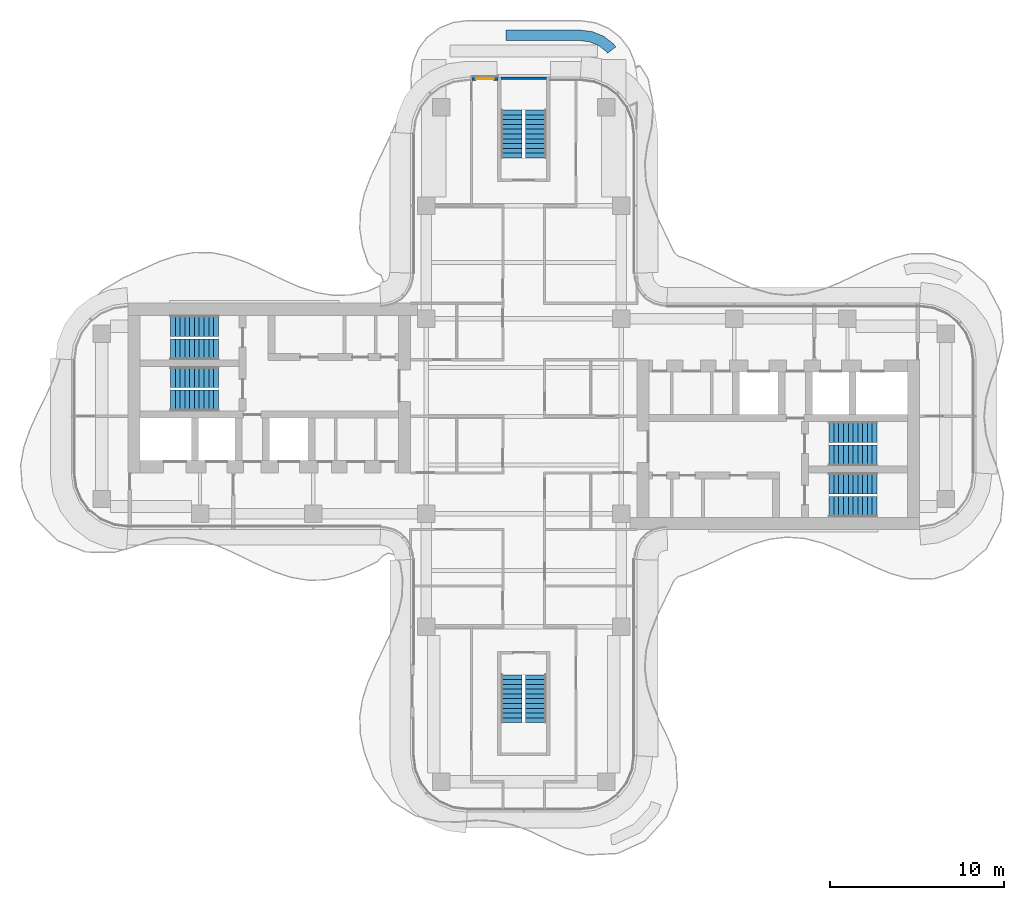
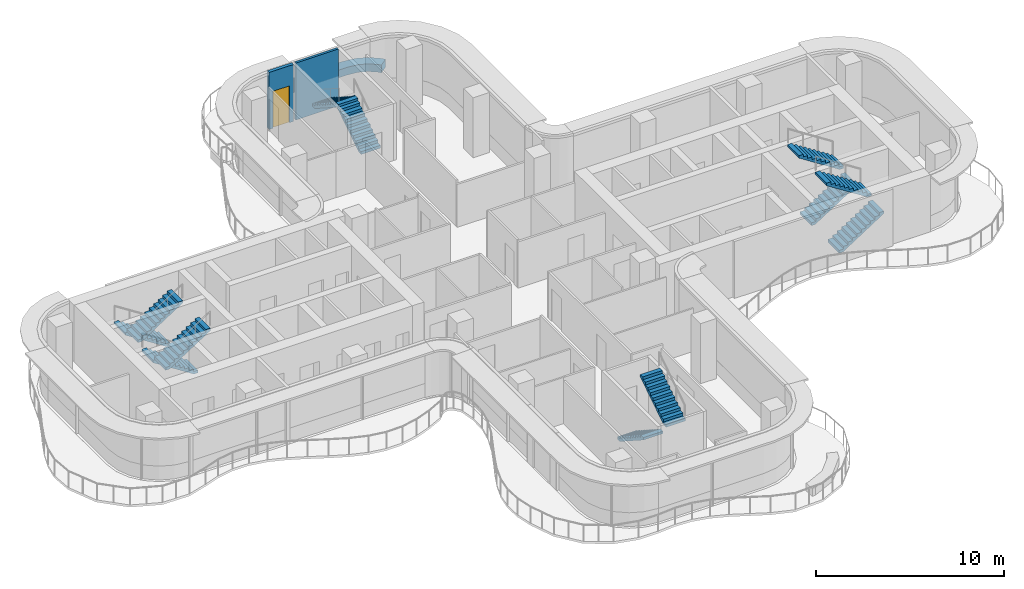
# One storey, part 14 of 16: 12 stair flights, 3 walls, 1 door, 1 opening, 6 elements without a shape of their own.
"""IFC4 building model written with IfcOpenShell, lengths in metres."""

from ifc_helpers import new_model, si_unit, direction, frame, frame_2d, origin, place, context, subcontext, project, spatial, polyline, rectangle, outline, extrude, source, transform, mapped, material, layer, layer_set, type_object, element, fill, aggregate, save


model = new_model("IFC4")

# Units and contexts
model_context = context("Model", 3, precision=1e-05, world=origin(), true_north=direction((0.0, 1.0)))
body_context = subcontext(model_context, "Body", "Model", "MODEL_VIEW")
ifc_project = project(units=[si_unit("LENGTHUNIT", "METRE"), si_unit("AREAUNIT", "SQUARE_METRE"), si_unit("VOLUMEUNIT", "CUBIC_METRE"), si_unit("PLANEANGLEUNIT", "RADIAN"), si_unit("MASSUNIT", "GRAM", prefix="KILO")], contexts=[model_context])

# Site, building, storey
site_placement = place(None, origin())
site = spatial("IfcSite", under=ifc_project, at=site_placement, CompositionType="ELEMENT")
building_placement = place(site_placement, origin())
building = spatial("IfcBuilding", under=site, at=building_placement, Name="Trellis Farm Tower", CompositionType="ELEMENT")
storey_placement = place(building_placement, frame((0.0, 0.0, 302.800048828125)))
storey = spatial("IfcBuildingStorey", under=building, at=storey_placement, Name="L68", CompositionType="ELEMENT", Elevation=302.800048828125)

# Walls
ifc_material_1 = material(Name="Sandstone faced masonry planter", Category="masonry")
ifc_layer_1 = layer(ifc_material_1, 0.60009765625)
ifc_layer_set_1 = layer_set([ifc_layer_1], Name="PLANTER BED 600")
wall_type_1 = type_object("IfcWallType", Name="PLANTER BED 600", PredefinedType="USERDEFINED", material=ifc_layer_set_1)
placement = place(storey_placement, origin())
element("IfcWall", 1, at=placement, inside=storey, type_object=wall_type_1, Name="PLANTER bed", ObjectType="PLANTER", PredefinedType="USERDEFINED", context=body_context, shape_type="SweptSolid", body=[
    extrude(outline(polyline([(3.214111328125, 22.199951171875), (3.947509765625, 22.103515625), (4.59765625, 21.834228515625), (5.15576171875, 21.40576171875), (5.29052734375, 21.230224609375), (4.814697265625, 20.864990234375), (4.727783203125, 20.977783203125), (4.294921875, 21.31005859375), (3.791015625, 21.518798828125), (3.174560546875, 21.60009765625), (-1.030029296875, 21.60009765625), (-1.030029296875, 22.199951171875), (3.214111328125, 22.199951171875)])), origin(), (0.0, 0.0, 1.0), 0.5),
])
ifc_material_2 = material(Name="Concrete C50/60", Category="concrete")
ifc_layer_2 = layer(ifc_material_2, 0.14990234375)
ifc_layer_set_2 = layer_set([ifc_layer_2], Name="CORE STAIR ENCLOSURE WALL 150 CONCRETE C50/60")
wall_type_2 = type_object("IfcWallType", Name="CORE STAIR ENCLOSURE WALL 150 CONCRETE C50/60", PredefinedType="SHEAR", material=ifc_layer_set_2)
shared_shape_1 = source(origin(), body_context, "Body", "SweptSolid", [
    extrude(rectangle(XDim=2.60009765625, YDim=0.14990234375, at=frame_2d((1.300048828125, 0.0))), origin(), (0.0, 0.0, 1.0), 3.699951171875),
])
wall_2_placement = place(storey_placement, frame((-1.300048828125, 19.425048828125, 0.0), z_axis=(0.0, 0.0, 1.0), x_axis=(1.0, 0.0, 0.0)))
element("IfcWall", 2, at=wall_2_placement, inside=storey, type_object=wall_type_2, Name="Stair enclosure wall", PredefinedType="SHEAR", context=body_context, shape_type="MappedRepresentation", body=[
    mapped(shared_shape_1, transform((0.0, 0.0, 0.0))),
])

# Wall, opening, door
ifc_material_3 = material(Name="Sandstone faced insulated wall", Category="masonry")
ifc_layer_3 = layer(ifc_material_3, 0.199951171875)
ifc_layer_set_3 = layer_set([ifc_layer_3], Name="EXTERNAL INFILL WALL 200")
wall_type_3 = type_object("IfcWallType", Name="EXTERNAL INFILL WALL 200", PredefinedType="SOLIDWALL", material=ifc_layer_set_3)
shared_shape_2 = source(origin(), body_context, "Body", "SweptSolid", [
    extrude(rectangle(XDim=1.5, YDim=0.199951171875, at=frame_2d((0.75, 0.0))), origin(), (0.0, 0.0, 1.0), 3.699951171875),
])
wall_3_placement = place(storey_placement, frame((-1.47998046875, 19.39990234375, 0.0), z_axis=(0.0, 0.0, 1.0), x_axis=(-1.0, 0.0, 0.0)))
wall_3 = element("IfcWall", 3, at=wall_3_placement, inside=storey, type_object=wall_type_3, Name="EW1 02", PredefinedType="SOLIDWALL", context=body_context, shape_type="MappedRepresentation", body=[
    mapped(shared_shape_2, transform((0.0, 0.0, 0.0))),
])
shared_shape_3 = source(origin(), body_context, "Body", "SweptSolid", [
    extrude(rectangle(XDim=1.0, YDim=2.39990234375, at=frame_2d((0.5, 1.199951171875))), frame((0.0, 0.110107421875, 0.0), z_axis=(0.0, -1.0, 0.0), x_axis=(1.0, 0.0, 0.0)), (0.0, 0.0, 1.0), 0.22021484375),
])
opening_placement = place(wall_3_placement, frame((0.25, 0.0, 0.0)))
opening = element("IfcOpeningElement", 4, at=opening_placement, cuts=wall_3, Name="Opening ED2", PredefinedType="OPENING", context=body_context, shape_type="MappedRepresentation", body=[
    mapped(shared_shape_3, transform((0.0, 0.0, 0.0))),
])
ifc_material_4 = material(Name="Aluminium framed glazed door", Category="aluminium")
door_type = type_object("IfcDoorType", Name="BALCONY DOOR 1000x2400", OperationType="SINGLE_SWING_LEFT", PredefinedType="DOOR", material=ifc_material_4)
shared_shape_4 = source(origin(), body_context, "Body", "SweptSolid", [
    extrude(rectangle(XDim=1.0, YDim=2.39990234375, at=frame_2d((0.5, 1.199951171875))), frame((0.0, 0.02490234375, 0.0), z_axis=(0.0, -1.0, 0.0), x_axis=(1.0, 0.0, 0.0)), (0.0, 0.0, 1.0), 0.050048828125),
])
door_placement = place(opening_placement, origin())
door = element("IfcDoor", 5, at=door_placement, inside=storey, type_object=door_type, Name="Balcony door", OperationType="SINGLE_SWING_LEFT", OverallHeight=2.39990234375, OverallWidth=1.0, PredefinedType="DOOR", context=body_context, shape_type="MappedRepresentation", body=[
    mapped(shared_shape_4, transform((0.0, 0.0, 0.0))),
])
fill(opening, door)

# Stair, stair flights
stair_type = type_object("IfcStairType", Name="CORE EXIT STAIR 22 RISERS 177 MM", PredefinedType="HALF_TURN_STAIR", material=ifc_material_2)
stair_1 = element("IfcStair", 6, at=placement, inside=storey, type_object=stair_type, Name="Exit stair N", PredefinedType="HALF_TURN_STAIR")
stair_flight_type = type_object("IfcStairFlightType", Name="STAIR FLIGHT 11 RISERS 177 MM", PredefinedType="STRAIGHT", material=ifc_material_2)
shared_shape_5 = source(origin(), body_context, "Body", "SweptSolid", [
    extrude(outline(polyline([(0.0, 0.0), (0.0, 0.17724609375), (0.27490234375, 0.17724609375), (0.27490234375, 0.3544921875), (0.550048828125, 0.3544921875), (0.550048828125, 0.53173828125), (0.824951171875, 0.53173828125), (0.824951171875, 0.708984375), (1.10009765625, 0.708984375), (1.10009765625, 0.886474609375), (1.375, 0.886474609375), (1.375, 1.063720703125), (1.64990234375, 1.063720703125), (1.64990234375, 1.240966796875), (1.925048828125, 1.240966796875), (1.925048828125, 1.418212890625), (2.199951171875, 1.418212890625), (2.199951171875, 1.595458984375), (2.47509765625, 1.595458984375), (2.47509765625, 1.772705078125), (2.75, 1.772705078125), (2.75, 1.949951171875), (2.75, 1.6181640625), (0.23974609375, 0.0), (0.0, 0.0)])), frame((0.0, 0.60009765625, 0.0), z_axis=(0.0, -1.0, 0.0), x_axis=(1.0, 0.0, 0.0)), (0.0, 0.0, 1.0), 1.199951171875),
])
stair_flight_1_placement = place(storey_placement, frame((0.699951171875, 14.85009765625, 0.0), z_axis=(0.0, 0.0, 1.0), x_axis=(0.0, 1.0, 0.0)))
stair_flight_1 = element("IfcStairFlight", 7, at=stair_flight_1_placement, type_object=stair_flight_type, Name="STN flight 1", NumberOfRisers=11, NumberOfTreads=10, PredefinedType="STRAIGHT", RiserHeight=0.177272727, TreadLength=0.275, context=body_context, shape_type="MappedRepresentation", body=[
    mapped(shared_shape_5, transform((0.0, 0.0, 0.0))),
])
stair_flight_2_placement = place(storey_placement, frame((-0.699951171875, 17.60009765625, 1.949951171875), z_axis=(0.0, 0.0, 1.0), x_axis=(0.0, -1.0, 0.0)))
stair_flight_2 = element("IfcStairFlight", 8, at=stair_flight_2_placement, type_object=stair_flight_type, Name="STN flight 2", NumberOfRisers=11, NumberOfTreads=10, PredefinedType="STRAIGHT", RiserHeight=0.177272727, TreadLength=0.275, context=body_context, shape_type="MappedRepresentation", body=[
    mapped(shared_shape_5, transform((0.0, 0.0, 0.0))),
])
aggregate(stair_1, [stair_flight_1, stair_flight_2])

stair_2 = element("IfcStair", 9, at=placement, inside=storey, type_object=stair_type, Name="Exit stair S", PredefinedType="HALF_TURN_STAIR")
stair_flight_3_placement = place(storey_placement, frame((-0.699951171875, -14.85009765625, 0.0), z_axis=(0.0, 0.0, 1.0), x_axis=(0.0, -1.0, 0.0)))
stair_flight_3 = element("IfcStairFlight", 10, at=stair_flight_3_placement, type_object=stair_flight_type, Name="STS flight 1", NumberOfRisers=11, NumberOfTreads=10, PredefinedType="STRAIGHT", RiserHeight=0.177272727, TreadLength=0.275, context=body_context, shape_type="MappedRepresentation", body=[
    mapped(shared_shape_5, transform((0.0, 0.0, 0.0))),
])
stair_flight_4_placement = place(storey_placement, frame((0.699951171875, -17.60009765625, 1.949951171875), z_axis=(0.0, 0.0, 1.0), x_axis=(0.0, 1.0, 0.0)))
stair_flight_4 = element("IfcStairFlight", 11, at=stair_flight_4_placement, type_object=stair_flight_type, Name="STS flight 2", NumberOfRisers=11, NumberOfTreads=10, PredefinedType="STRAIGHT", RiserHeight=0.177272727, TreadLength=0.275, context=body_context, shape_type="MappedRepresentation", body=[
    mapped(shared_shape_5, transform((0.0, 0.0, 0.0))),
])
aggregate(stair_2, [stair_flight_3, stair_flight_4])

stair_3 = element("IfcStair", 12, at=placement, inside=storey, type_object=stair_type, Name="Exit stair E1", PredefinedType="HALF_TURN_STAIR")
stair_flight_5_placement = place(storey_placement, frame((17.550048828125, -5.199951171875, 0.0), z_axis=(0.0, 0.0, 1.0), x_axis=(1.0, 0.0, 0.0)))
stair_flight_5 = element("IfcStairFlight", 13, at=stair_flight_5_placement, type_object=stair_flight_type, Name="STE1 flight 1", NumberOfRisers=11, NumberOfTreads=10, PredefinedType="STRAIGHT", RiserHeight=0.177272727, TreadLength=0.275, context=body_context, shape_type="MappedRepresentation", body=[
    mapped(shared_shape_5, transform((0.0, 0.0, 0.0))),
])
stair_flight_6_placement = place(storey_placement, frame((20.300048828125, -3.85009765625, 1.949951171875), z_axis=(0.0, 0.0, 1.0), x_axis=(-1.0, 0.0, 0.0)))
stair_flight_6 = element("IfcStairFlight", 14, at=stair_flight_6_placement, type_object=stair_flight_type, Name="STE1 flight 2", NumberOfRisers=11, NumberOfTreads=10, PredefinedType="STRAIGHT", RiserHeight=0.177272727, TreadLength=0.275, context=body_context, shape_type="MappedRepresentation", body=[
    mapped(shared_shape_5, transform((0.0, 0.0, 0.0))),
])
aggregate(stair_3, [stair_flight_5, stair_flight_6])

stair_4 = element("IfcStair", 15, at=placement, inside=storey, type_object=stair_type, Name="Exit stair E2", PredefinedType="HALF_TURN_STAIR")
stair_flight_7_placement = place(storey_placement, frame((17.550048828125, -2.25, 0.0), z_axis=(0.0, 0.0, 1.0), x_axis=(1.0, 0.0, 0.0)))
stair_flight_7 = element("IfcStairFlight", 16, at=stair_flight_7_placement, type_object=stair_flight_type, Name="STE2 flight 1", NumberOfRisers=11, NumberOfTreads=10, PredefinedType="STRAIGHT", RiserHeight=0.177272727, TreadLength=0.275, context=body_context, shape_type="MappedRepresentation", body=[
    mapped(shared_shape_5, transform((0.0, 0.0, 0.0))),
])
stair_flight_8_placement = place(storey_placement, frame((20.300048828125, -0.89990234375, 1.949951171875), z_axis=(0.0, 0.0, 1.0), x_axis=(-1.0, 0.0, 0.0)))
stair_flight_8 = element("IfcStairFlight", 17, at=stair_flight_8_placement, type_object=stair_flight_type, Name="STE2 flight 2", NumberOfRisers=11, NumberOfTreads=10, PredefinedType="STRAIGHT", RiserHeight=0.177272727, TreadLength=0.275, context=body_context, shape_type="MappedRepresentation", body=[
    mapped(shared_shape_5, transform((0.0, 0.0, 0.0))),
])
aggregate(stair_4, [stair_flight_7, stair_flight_8])

stair_5 = element("IfcStair", 18, at=placement, inside=storey, type_object=stair_type, Name="Exit stair W1", PredefinedType="HALF_TURN_STAIR")
stair_flight_9_placement = place(storey_placement, frame((-17.550048828125, 5.199951171875, 0.0), z_axis=(0.0, 0.0, 1.0), x_axis=(-1.0, 0.0, 0.0)))
stair_flight_9 = element("IfcStairFlight", 19, at=stair_flight_9_placement, type_object=stair_flight_type, Name="STW1 flight 1", NumberOfRisers=11, NumberOfTreads=10, PredefinedType="STRAIGHT", RiserHeight=0.177272727, TreadLength=0.275, context=body_context, shape_type="MappedRepresentation", body=[
    mapped(shared_shape_5, transform((0.0, 0.0, 0.0))),
])
stair_flight_10_placement = place(storey_placement, frame((-20.300048828125, 3.85009765625, 1.949951171875), z_axis=(0.0, 0.0, 1.0), x_axis=(1.0, 0.0, 0.0)))
stair_flight_10 = element("IfcStairFlight", 20, at=stair_flight_10_placement, type_object=stair_flight_type, Name="STW1 flight 2", NumberOfRisers=11, NumberOfTreads=10, PredefinedType="STRAIGHT", RiserHeight=0.177272727, TreadLength=0.275, context=body_context, shape_type="MappedRepresentation", body=[
    mapped(shared_shape_5, transform((0.0, 0.0, 0.0))),
])
aggregate(stair_5, [stair_flight_9, stair_flight_10])

stair_6 = element("IfcStair", 21, at=placement, inside=storey, type_object=stair_type, Name="Exit stair W2", PredefinedType="HALF_TURN_STAIR")
stair_flight_11_placement = place(storey_placement, frame((-17.550048828125, 2.25, 0.0), z_axis=(0.0, 0.0, 1.0), x_axis=(-1.0, 0.0, 0.0)))
stair_flight_11 = element("IfcStairFlight", 22, at=stair_flight_11_placement, type_object=stair_flight_type, Name="STW2 flight 1", NumberOfRisers=11, NumberOfTreads=10, PredefinedType="STRAIGHT", RiserHeight=0.177272727, TreadLength=0.275, context=body_context, shape_type="MappedRepresentation", body=[
    mapped(shared_shape_5, transform((0.0, 0.0, 0.0))),
])
stair_flight_12_placement = place(storey_placement, frame((-20.300048828125, 0.89990234375, 1.949951171875), z_axis=(0.0, 0.0, 1.0), x_axis=(1.0, 0.0, 0.0)))
stair_flight_12 = element("IfcStairFlight", 23, at=stair_flight_12_placement, type_object=stair_flight_type, Name="STW2 flight 2", NumberOfRisers=11, NumberOfTreads=10, PredefinedType="STRAIGHT", RiserHeight=0.177272727, TreadLength=0.275, context=body_context, shape_type="MappedRepresentation", body=[
    mapped(shared_shape_5, transform((0.0, 0.0, 0.0))),
])
aggregate(stair_6, [stair_flight_11, stair_flight_12])

save(model, "model.ifc")
